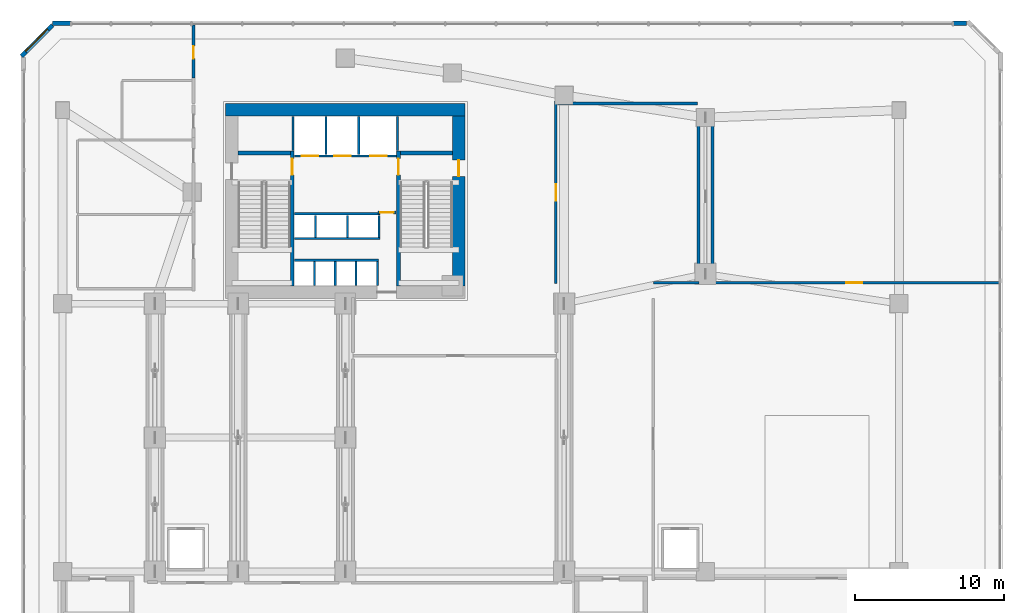
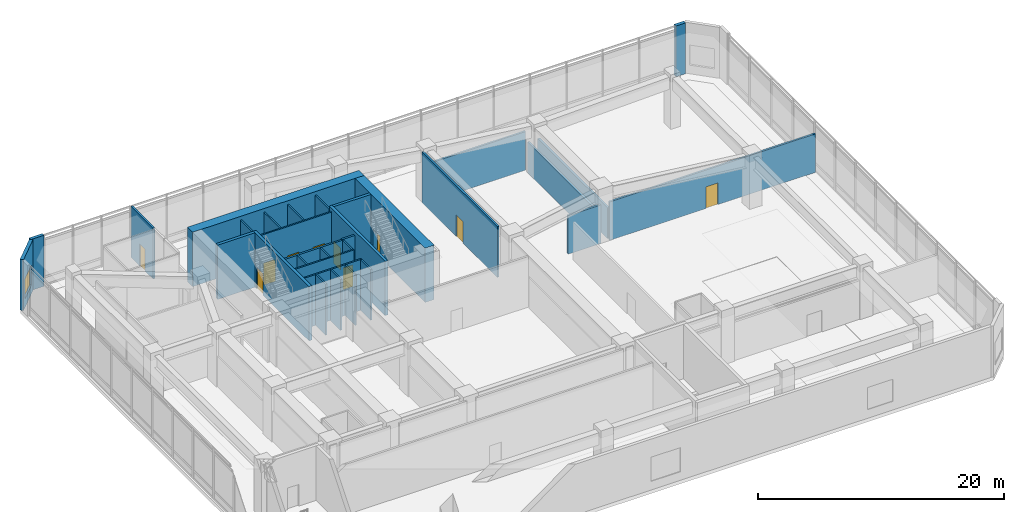
# One storey, part 18 of 21: 32 walls, 10 doors, 1 window, 11 openings.
"""IFC4 building model written with IfcOpenShell, lengths in metres."""

import ifcopenshell
import ifcopenshell.guid

model = None  # the IFC model being written
_history = None  # IfcOwnerHistory: only IFC2X3 demands one
_inside = {}  # id of a spatial element -> (the spatial element, [elements in it])
_under = {}  # id of a project, library or spatial element -> (it, [spatial elements below it])
_declared = {}  # id of a project -> (the project, [libraries it declares])
_typed = {}  # id of a type object -> (the type object, [elements of that type])
_made_of = {}  # id of a material, layer set ... -> (it, [elements and type objects made of it])


def new_model(schema):
    """Start an empty IFC model of exactly this schema.

    Asked for "IFC4X3", IfcOpenShell would pick the latest addendum, in which some entities
    have other attributes; the version numbers below select the first issue.
    IFC2X3 requires an IfcOwnerHistory on every rooted entity: one is made here for all.
    """
    global model, _history
    if schema == "IFC4X3":
        model = ifcopenshell.file(schema_version=(4, 3, 0, 0))
    else:
        model = ifcopenshell.file(schema=schema)
    _inside.clear()
    _under.clear()
    _declared.clear()
    _typed.clear()
    _made_of.clear()
    _history = None
    if model.schema == "IFC2X3":
        org = make("IfcOrganization", Name="unknown")
        user = make(
            "IfcPersonAndOrganization",
            ThePerson=make("IfcPerson", FamilyName="unknown"),
            TheOrganization=org,
        )
        app = make(
            "IfcApplication",
            ApplicationDeveloper=org,
            Version="unknown",
            ApplicationFullName="unknown",
            ApplicationIdentifier="unknown",
        )
        _history = make(
            "IfcOwnerHistory",
            OwningUser=user,
            OwningApplication=app,
            ChangeAction="ADDED",
            CreationDate=0,
        )
    return model


def make(cls, **values):
    """One entity of the class cls with the attributes given. An attribute that is None is left unset."""
    return model.create_entity(
        cls, **{name: value for name, value in values.items() if value is not None}
    )


def rooted(cls, **values):
    """An entity with a GlobalId (a new one), such as an element, a storey or a relation."""
    return make(cls, GlobalId=ifcopenshell.guid.new(), OwnerHistory=_history, **values)


def si_unit(unit_type, name, prefix=None):
    """IfcSIUnit, for example si_unit("LENGTHUNIT", "METRE", prefix="MILLI")."""
    return make("IfcSIUnit", UnitType=unit_type, Prefix=prefix, Name=name)


def assignment(units):
    """IfcUnitAssignment: the units of a project."""
    return None if units is None else make("IfcUnitAssignment", Units=units)


def point(xyz):
    """IfcCartesianPoint."""
    return None if xyz is None else make("IfcCartesianPoint", Coordinates=xyz)


def direction(xyz):
    """IfcDirection."""
    return None if xyz is None else make("IfcDirection", DirectionRatios=xyz)


def frame(location, z_axis=None, x_axis=None):
    """IfcAxis2Placement3D, a coordinate frame: its origin and axes. An axis left out is left unset."""
    return make(
        "IfcAxis2Placement3D",
        Location=point(location),
        Axis=direction(z_axis),
        RefDirection=direction(x_axis),
    )


def frame_2d(location, x_axis=None):
    """IfcAxis2Placement2D, a coordinate frame in the plane: its origin and x axis."""
    return make(
        "IfcAxis2Placement2D", Location=point(location), RefDirection=direction(x_axis)
    )


def origin():
    """The frame at (0, 0, 0) with its axes left unset."""
    return frame((0.0, 0.0, 0.0))


def place(relative_to, where):
    """IfcLocalPlacement: puts the frame where relative to a parent placement (None: the world)."""
    return make(
        "IfcLocalPlacement", PlacementRelTo=relative_to, RelativePlacement=where
    )


def context(
    kind, dimensions, precision=None, world=None, true_north=None, identifier=None
):
    """IfcGeometricRepresentationContext, for example the 3D "Model" context."""
    return make(
        "IfcGeometricRepresentationContext",
        ContextIdentifier=identifier,
        ContextType=kind,
        CoordinateSpaceDimension=dimensions,
        Precision=precision,
        WorldCoordinateSystem=world,
        TrueNorth=true_north,
    )


def subcontext(parent, identifier, kind, view, scale=None):
    """IfcGeometricRepresentationSubContext, for example "Body" below "Model"."""
    return make(
        "IfcGeometricRepresentationSubContext",
        ContextIdentifier=identifier,
        ContextType=kind,
        ParentContext=parent,
        TargetScale=scale,
        TargetView=view,
    )


def project(units=None, contexts=None):
    """IfcProject with its units and contexts."""
    return rooted(
        "IfcProject",
        Name="project",
        RepresentationContexts=contexts,
        UnitsInContext=assignment(units),
    )


def spatial(cls, under=None, at=None, **own):
    """A site, building, storey or space (cls), placed at a placement, below another one or the project."""
    s = rooted(cls, ObjectPlacement=at, **own)
    if under is not None:
        _under.setdefault(under.id(), (under, []))[1].append(s)
    return s


def profile(cls, at=None, kind="AREA", **sizes):
    """A parametric profile (cls). Its sizes go by their IFC names, for example OverallWidth=200.0."""
    return make(cls, ProfileType=kind, Position=at, **sizes)


def rectangle(**sizes):
    """IfcRectangleProfileDef."""
    return profile("IfcRectangleProfileDef", **sizes)


def extrude(swept, where, along, depth):
    """IfcExtrudedAreaSolid: the profile swept, set in the frame where, extruded along a direction by depth."""
    return make(
        "IfcExtrudedAreaSolid",
        SweptArea=swept,
        Position=where,
        ExtrudedDirection=direction(along),
        Depth=depth,
    )


def shape(context_of_items, identifier, shape_type, items):
    """IfcShapeRepresentation: the items that make up one representation, for example the "Body"."""
    return make(
        "IfcShapeRepresentation",
        ContextOfItems=context_of_items,
        RepresentationIdentifier=identifier,
        RepresentationType=shape_type,
        Items=items,
    )


def source(mapping_origin, context_of_items, identifier, shape_type, items):
    """IfcRepresentationMap: a shape defined once, which mapped items show again and again."""
    return make(
        "IfcRepresentationMap",
        MappingOrigin=mapping_origin,
        MappedRepresentation=shape(context_of_items, identifier, shape_type, items),
    )


def transform(
    local_origin,
    x_axis=None,
    y_axis=None,
    z_axis=None,
    scale=None,
    scale2=None,
    scale3=None,
    uniform=True,
):
    """IfcCartesianTransformationOperator3D, or its non-uniform kind. x_axis, y_axis, z_axis: its Axis1, 2, 3."""
    if uniform:
        return make(
            "IfcCartesianTransformationOperator3D",
            Axis1=direction(x_axis),
            Axis2=direction(y_axis),
            LocalOrigin=point(local_origin),
            Scale=scale,
            Axis3=direction(z_axis),
        )
    return make(
        "IfcCartesianTransformationOperator3DnonUniform",
        Axis1=direction(x_axis),
        Axis2=direction(y_axis),
        LocalOrigin=point(local_origin),
        Scale=scale,
        Axis3=direction(z_axis),
        Scale2=scale2,
        Scale3=scale3,
    )


def mapped(mapping_source, mapping_target):
    """IfcMappedItem: shows the shape of a source again, moved by a transform."""
    return make(
        "IfcMappedItem", MappingSource=mapping_source, MappingTarget=mapping_target
    )


def material(Name=None, Category=None):
    """IfcMaterial."""
    return make("IfcMaterial", Name=Name, Category=Category)


def layer(
    of_material, thickness, ventilated=None, Name=None, Category=None, Priority=None
):
    """IfcMaterialLayer: one layer of a wall or slab, of a material (None: an air gap)."""
    return make(
        "IfcMaterialLayer",
        Material=of_material,
        LayerThickness=thickness,
        IsVentilated=ventilated,
        Name=Name,
        Category=Category,
        Priority=Priority,
    )


def layer_set(layers, Name=None):
    """IfcMaterialLayerSet."""
    return make("IfcMaterialLayerSet", MaterialLayers=layers, LayerSetName=Name)


def made_of(thing, what):
    """Note that an element or type object is made of a material, layer set ...; save() writes the relation."""
    if what is not None:
        _made_of.setdefault(what.id(), (what, []))[1].append(thing)
    return thing


def type_object(cls, material=None, **own):
    """A type object (cls), such as IfcWallType, which elements share."""
    return made_of(rooted(cls, **own), material)


def element(
    cls,
    number,
    at=None,
    inside=None,
    cuts=None,
    type_object=None,
    material=None,
    context=None,
    identifier="Body",
    shape_type=None,
    held_by="IfcProductDefinitionShape",
    body=None,
    shapes=None,
    **own,
):
    """One element of the class cls, such as IfcWall. Its Tag is "e" and its number.

    at: its placement. inside: the storey or other place that contains it. cuts: it is an
    opening in that element (IfcRelVoidsElement). A single representation is given by context,
    identifier, shape_type and body (its items); several are given by shapes. held_by: the class
    of the entity that holds the representations. save() writes the other relations.
    """
    e = rooted(cls, Tag="e%d" % number, ObjectPlacement=at, **own)
    if body is not None:
        shapes = [shape(context, identifier, shape_type, body)]
    if shapes is not None:
        e.Representation = make(held_by, Representations=shapes)
    if inside is not None:
        _inside.setdefault(inside.id(), (inside, []))[1].append(e)
    if cuts is not None:
        rooted(
            "IfcRelVoidsElement", RelatingBuildingElement=cuts, RelatedOpeningElement=e
        )
    if type_object is not None:
        _typed.setdefault(type_object.id(), (type_object, []))[1].append(e)
    return made_of(e, material)


def fill(opening, filler):
    """IfcRelFillsElement: the door or window that sits in an opening."""
    return rooted(
        "IfcRelFillsElement",
        RelatingOpeningElement=opening,
        RelatedBuildingElement=filler,
    )


def aggregate(whole, parts):
    """IfcRelAggregates: a whole, such as a stair, and the parts it consists of."""
    return rooted("IfcRelAggregates", RelatingObject=whole, RelatedObjects=parts)


def save(model, path):
    """Write the relations noted so far, then the file.

    IfcRelAggregates (storeys below a building ...), IfcRelContainedInSpatialStructure (elements
    in a storey), IfcRelDefinesByType, IfcRelAssociatesMaterial and IfcRelDeclares: one each for
    every whole, place, type object, material and project.
    """
    for whole, parts in _under.values():
        aggregate(whole, parts)
    for where, things in _inside.values():
        rooted(
            "IfcRelContainedInSpatialStructure",
            RelatedElements=things,
            RelatingStructure=where,
        )
    for kind, things in _typed.values():
        rooted("IfcRelDefinesByType", RelatedObjects=things, RelatingType=kind)
    for what, things in _made_of.values():
        rooted("IfcRelAssociatesMaterial", RelatedObjects=things, RelatingMaterial=what)
    for by, libraries in _declared.values():
        rooted("IfcRelDeclares", RelatingContext=by, RelatedDefinitions=libraries)
    model.write(path)


model = new_model("IFC4")

# Units and contexts
model_context = context("Model", 3, precision=1e-05, world=origin(), true_north=direction((0.0, 1.0)))
body_context = subcontext(model_context, "Body", "Model", "MODEL_VIEW")
ifc_project = project(units=[si_unit("LENGTHUNIT", "METRE"), si_unit("AREAUNIT", "SQUARE_METRE"), si_unit("VOLUMEUNIT", "CUBIC_METRE"), si_unit("PLANEANGLEUNIT", "RADIAN"), si_unit("MASSUNIT", "GRAM", prefix="KILO")], contexts=[model_context])

# Site, building, storey
site_placement = place(None, origin())
site = spatial("IfcSite", under=ifc_project, at=site_placement, CompositionType="ELEMENT")
building_placement = place(site_placement, origin())
building = spatial("IfcBuilding", under=site, at=building_placement, Name="Calvemar Wedge Station Tower", CompositionType="ELEMENT")
storey_placement = place(building_placement, frame((0.0, 0.0, 21.60009765625)))
storey = spatial("IfcBuildingStorey", under=building, at=storey_placement, Name="L05", CompositionType="ELEMENT", Elevation=21.60009765625)

# Wall, opening, door
ifc_material_1 = material(Name="Concrete C50", Category="concrete")
ifc_layer_1 = layer(ifc_material_1, 0.260009765625)
ifc_layer_set_1 = layer_set([ifc_layer_1], Name="Concrete C50")
wall_type_1 = type_object("IfcWallType", Name="SW-CORE-260", PredefinedType="SHEAR", material=ifc_layer_set_1)
wall_1_placement = place(storey_placement, frame((20.22998046875, 34.199951171875, 0.0), z_axis=(0.0, 0.0, 1.0), x_axis=(0.0, 1.0, 0.0)))
wall_1 = element("IfcWall", 1, at=wall_1_placement, inside=storey, type_object=wall_type_1, Name="Storey L05 Core Shear Wall SPINE-W", PredefinedType="SHEAR", context=body_context, shape_type="SweptSolid", body=[
    extrude(rectangle(XDim=9.06005859375, YDim=0.260009765625, at=frame_2d((4.530029296875, 0.0))), origin(), (0.0, 0.0, 1.0), 5.39990234375),
])
shared_shape_1 = source(origin(), body_context, "Body", "SweptSolid", [
    extrude(rectangle(XDim=1.10009765625, YDim=2.14990234375, at=frame_2d((0.550048828125, 1.074951171875))), frame((0.0, 0.14013671875, 0.0), z_axis=(0.0, -1.0, 0.0), x_axis=(1.0, 0.0, 0.0)), (0.0, 0.0, 1.0), 0.280029296875),
])
opening_1_placement = place(wall_1_placement, frame((7.449951171875, 0.0, 0.0)))
opening_1 = element("IfcOpeningElement", 2, at=opening_1_placement, cuts=wall_1, Name="Opening FD-90", PredefinedType="OPENING", context=body_context, shape_type="MappedRepresentation", body=[
    mapped(shared_shape_1, transform((0.0, 0.0, 0.0), scale=1.0)),
])
ifc_material_2 = material(Name="Galvanized fire-rated steel door leaf P-90", Category="steel")
door_type_1 = type_object("IfcDoorType", Name="DR-FD90-1100", OperationType="NOTDEFINED", PredefinedType="DOOR", material=ifc_material_2)
shared_shape_2 = source(origin(), body_context, "Body", "SweptSolid", [
    extrude(rectangle(XDim=1.10009765625, YDim=2.14990234375, at=frame_2d((0.550048828125, 1.074951171875))), frame((0.0, 0.02490234375, 0.0), z_axis=(0.0, -1.0, 0.0), x_axis=(1.0, 0.0, 0.0)), (0.0, 0.0, 1.0), 0.050048828125),
])
door_1_placement = place(opening_1_placement, origin())
door_1 = element("IfcDoor", 3, at=door_1_placement, inside=storey, type_object=door_type_1, Name="L05 FF Lobby to Stair ST-C1 Door", OperationType="SINGLE_SWING_RIGHT", OverallHeight=2.14990234375, OverallWidth=1.10009765625, PredefinedType="DOOR", context=body_context, shape_type="MappedRepresentation", body=[
    mapped(shared_shape_2, transform((0.0, 0.0, 0.0), scale=1.0)),
])
fill(opening_1, door_1)

wall_2_placement = place(storey_placement, frame((27.3701171875, 34.199951171875, 0.0), z_axis=(0.0, 0.0, 1.0), x_axis=(0.0, 1.0, 0.0)))
wall_2 = element("IfcWall", 4, at=wall_2_placement, inside=storey, type_object=wall_type_1, Name="Storey L05 Core Shear Wall SPINE-E", PredefinedType="SHEAR", context=body_context, shape_type="SweptSolid", body=[
    extrude(rectangle(XDim=9.06005859375, YDim=0.260009765625, at=frame_2d((4.530029296875, 0.0))), origin(), (0.0, 0.0, 1.0), 5.39990234375),
])
opening_2_placement = place(wall_2_placement, frame((7.449951171875, 0.0, 0.0)))
opening_2 = element("IfcOpeningElement", 5, at=opening_2_placement, cuts=wall_2, Name="Opening FD-90", PredefinedType="OPENING", context=body_context, shape_type="MappedRepresentation", body=[
    mapped(shared_shape_1, transform((0.0, 0.0, 0.0), scale=1.0)),
])
door_2_placement = place(opening_2_placement, origin())
door_2 = element("IfcDoor", 6, at=door_2_placement, inside=storey, type_object=door_type_1, Name="L05 FF Lobby to Stair ST-C2 Door", OperationType="SINGLE_SWING_LEFT", OverallHeight=2.14990234375, OverallWidth=1.10009765625, PredefinedType="DOOR", context=body_context, shape_type="MappedRepresentation", body=[
    mapped(shared_shape_2, transform((0.0, 0.0, 0.0), scale=1.0)),
])
fill(opening_2, door_2)

# Walls
for number, where, z_axis, x_axis, name in (
    (7, (16.60009765625, 43.1298828125, 0.0), (0.0, 0.0, 1.0), (1.0, 0.0, 0.0), "Storey L05 Core Shear Wall STC1-N"),
    (8, (27.5, 43.1298828125, 0.0), (0.0, 0.0, 1.0), (1.0, 0.0, 0.0), "Storey L05 Core Shear Wall STC2-N"),
):
    element("IfcWall", number, at=place(storey_placement, frame(where, z_axis=z_axis, x_axis=x_axis)), inside=storey, type_object=wall_type_1, Name=name, PredefinedType="SHEAR", context=body_context, shape_type="SweptSolid", body=[
        extrude(rectangle(XDim=3.5, YDim=0.260009765625, at=frame_2d((1.75, 0.0))), origin(), (0.0, 0.0, 1.0), 5.39990234375),
    ])
ifc_material_3 = material(Name="Concrete C80", Category="concrete")
ifc_layer_2 = layer(ifc_material_3, 0.85009765625)
ifc_layer_set_2 = layer_set([ifc_layer_2], Name="Concrete C80")
wall_type_2 = type_object("IfcWallType", Name="SW-CORE-850", PredefinedType="SHEAR", material=ifc_layer_set_2)
wall_3_placement = place(storey_placement, frame((15.75, 46.02490234375, 0.0), z_axis=(0.0, 0.0, 1.0), x_axis=(1.0, 0.0, 0.0)))
element("IfcWall", 9, at=wall_3_placement, inside=storey, type_object=wall_type_2, Name="Storey L05 Core Shear Wall N", PredefinedType="SHEAR", context=body_context, shape_type="SweptSolid", body=[
    extrude(rectangle(XDim=16.10009765625, YDim=0.85009765625, at=frame_2d((8.050048828125, 0.0))), origin(), (0.0, 0.0, 1.0), 5.39990234375),
])

# Wall, opening, door
wall_4_placement = place(storey_placement, frame((31.425048828125, 34.199951171875, 0.0), z_axis=(0.0, 0.0, 1.0), x_axis=(0.0, 1.0, 0.0)))
wall_4 = element("IfcWall", 10, at=wall_4_placement, inside=storey, type_object=wall_type_2, Name="Storey L05 Core Shear Wall E", PredefinedType="SHEAR", context=body_context, shape_type="SweptSolid", body=[
    extrude(rectangle(XDim=11.400146484375, YDim=0.85009765625, at=frame_2d((5.7001953125, 0.0))), origin(), (0.0, 0.0, 1.0), 5.39990234375),
])
shared_shape_3 = source(origin(), body_context, "Body", "SweptSolid", [
    extrude(rectangle(XDim=1.10009765625, YDim=2.14990234375, at=frame_2d((0.550048828125, 1.074951171875))), frame((0.0, 0.43505859375, 0.0), z_axis=(0.0, -1.0, 0.0), x_axis=(1.0, 0.0, 0.0)), (0.0, 0.0, 1.0), 0.8701171875),
])
opening_3_placement = place(wall_4_placement, frame((7.35009765625, 0.0, 0.0)))
opening_3 = element("IfcOpeningElement", 11, at=opening_3_placement, cuts=wall_4, Name="Opening FD-90", PredefinedType="OPENING", context=body_context, shape_type="MappedRepresentation", body=[
    mapped(shared_shape_3, transform((0.0, 0.0, 0.0), scale=1.0)),
])
door_3_placement = place(opening_3_placement, origin())
door_3 = element("IfcDoor", 12, at=door_3_placement, inside=storey, type_object=door_type_1, Name="L05 East Corridor to Exit Stair ST-C2 Door", OperationType="SINGLE_SWING_LEFT", OverallHeight=2.14990234375, OverallWidth=1.10009765625, PredefinedType="DOOR", context=body_context, shape_type="MappedRepresentation", body=[
    mapped(shared_shape_2, transform((0.0, 0.0, 0.0), scale=1.0)),
])
fill(opening_3, door_3)

ifc_material_4 = material(Name="Double-stud fire-rated corridor partition")
ifc_layer_3 = layer(ifc_material_4, 0.179931640625)
ifc_layer_set_3 = layer_set([ifc_layer_3], Name="Double-stud fire-rated corridor partition")
wall_type_3 = type_object("IfcWallType", Name="W-CORR-180", PredefinedType="PARTITIONING", material=ifc_layer_set_3)
wall_5_placement = place(storey_placement, frame((27.199951171875, 39.1298828125, 0.0), z_axis=(0.0, 0.0, 1.0), x_axis=(-1.0, 0.0, 0.0)))
wall_5 = element("IfcWall", 13, at=wall_5_placement, inside=storey, type_object=wall_type_3, Name="Storey L05 Interior Partition WL-L05-001", PredefinedType="PARTITIONING", context=body_context, shape_type="SweptSolid", body=[
    extrude(rectangle(XDim=1.2099609375, YDim=0.179931640625, at=frame_2d((0.60498046875, 0.0))), origin(), (0.0, 0.0, 1.0), 5.0498046875),
])
shared_shape_4 = source(origin(), body_context, "Body", "SweptSolid", [
    extrude(rectangle(XDim=0.89990234375, YDim=2.14990234375, at=frame_2d((0.449951171875, 1.074951171875))), frame((0.0, 0.10009765625, 0.0), z_axis=(0.0, -1.0, 0.0), x_axis=(1.0, 0.0, 0.0)), (0.0, 0.0, 1.0), 0.199951171875),
])
opening_4_placement = place(wall_5_placement, frame((0.155029296875, 0.0, 0.0)))
opening_4 = element("IfcOpeningElement", 14, at=opening_4_placement, cuts=wall_5, Name="Opening FD-60", PredefinedType="OPENING", context=body_context, shape_type="MappedRepresentation", body=[
    mapped(shared_shape_4, transform((0.0, 0.0, 0.0), scale=1.0)),
])
ifc_material_5 = material(Name="Fire-rated acoustic timber-core entrance door EI 60", Category="wood")
door_type_2 = type_object("IfcDoorType", Name="DR-FD60-900", OperationType="NOTDEFINED", PredefinedType="DOOR", material=ifc_material_5)
shared_shape_5 = source(origin(), body_context, "Body", "SweptSolid", [
    extrude(rectangle(XDim=0.89990234375, YDim=2.14990234375, at=frame_2d((0.449951171875, 1.074951171875))), frame((0.0, 0.02490234375, 0.0), z_axis=(0.0, -1.0, 0.0), x_axis=(1.0, 0.0, 0.0)), (0.0, 0.0, 1.0), 0.050048828125),
])
door_4_placement = place(opening_4_placement, origin())
door_4 = element("IfcDoor", 15, at=door_4_placement, inside=storey, type_object=door_type_2, Name="L05 Core Service Lobby Door", OperationType="SINGLE_SWING_RIGHT", OverallHeight=2.14990234375, OverallWidth=0.89990234375, PredefinedType="DOOR", context=body_context, shape_type="MappedRepresentation", body=[
    mapped(shared_shape_5, transform((0.0, 0.0, 0.0), scale=1.0)),
])
fill(opening_4, door_4)

wall_6_placement = place(storey_placement, frame((37.949951171875, 46.610107421875, 0.0), z_axis=(0.0, 0.0, 1.0), x_axis=(0.0, -1.0, 0.0)))
wall_6 = element("IfcWall", 16, at=wall_6_placement, inside=storey, type_object=wall_type_3, Name="Storey L05 Interior Partition WL-L05-008", PredefinedType="PARTITIONING", context=body_context, shape_type="SweptSolid", body=[
    extrude(rectangle(XDim=12.27001953125, YDim=0.179931640625, at=frame_2d((6.135009765625, 0.0))), origin(), (0.0, 0.0, 1.0), 5.0498046875),
])
shared_shape_6 = source(origin(), body_context, "Body", "SweptSolid", [
    extrude(rectangle(XDim=1.10009765625, YDim=2.14990234375, at=frame_2d((0.550048828125, 1.074951171875))), frame((0.0, 0.10009765625, 0.0), z_axis=(0.0, -1.0, 0.0), x_axis=(1.0, 0.0, 0.0)), (0.0, 0.0, 1.0), 0.199951171875),
])
opening_5_placement = place(wall_6_placement, frame((5.5849609375, 0.0, 0.0)))
opening_5 = element("IfcOpeningElement", 17, at=opening_5_placement, cuts=wall_6, Name="Opening FD-90", PredefinedType="OPENING", context=body_context, shape_type="MappedRepresentation", body=[
    mapped(shared_shape_6, transform((0.0, 0.0, 0.0), scale=1.0)),
])
door_5_placement = place(opening_5_placement, origin())
door_5 = element("IfcDoor", 18, at=door_5_placement, inside=storey, type_object=door_type_1, Name="L05 West Air Handling Plant Room Door", OperationType="SINGLE_SWING_LEFT", OverallHeight=2.14990234375, OverallWidth=1.10009765625, PredefinedType="DOOR", context=body_context, shape_type="MappedRepresentation", body=[
    mapped(shared_shape_2, transform((0.0, 0.0, 0.0), scale=1.0)),
])
fill(opening_5, door_5)

wall_7_placement = place(storey_placement, frame((13.60009765625, 48.162109375, 0.0), z_axis=(0.0, 0.0, 1.0), x_axis=(0.0, 1.0, 0.0)))
wall_7 = element("IfcWall", 19, at=wall_7_placement, inside=storey, type_object=wall_type_3, Name="Storey L05 Interior Partition WL-L05-010", PredefinedType="PARTITIONING", context=body_context, shape_type="SweptSolid", body=[
    extrude(rectangle(XDim=3.572998046875, YDim=0.179931640625, at=frame_2d((1.78662109375, 0.0))), origin(), (0.0, 0.0, 1.0), 5.0498046875),
])
shared_shape_7 = source(origin(), body_context, "Body", "SweptSolid", [
    extrude(rectangle(XDim=0.85009765625, YDim=2.14990234375, at=frame_2d((0.425048828125, 1.074951171875))), frame((0.0, 0.10009765625, 0.0), z_axis=(0.0, -1.0, 0.0), x_axis=(1.0, 0.0, 0.0)), (0.0, 0.0, 1.0), 0.199951171875),
])
opening_6_placement = place(wall_7_placement, frame((1.301513671875, 0.0, 0.0)))
opening_6 = element("IfcOpeningElement", 20, at=opening_6_placement, cuts=wall_7, Name="Opening FD-60S", PredefinedType="OPENING", context=body_context, shape_type="MappedRepresentation", body=[
    mapped(shared_shape_7, transform((0.0, 0.0, 0.0), scale=1.0)),
])
ifc_material_6 = material(Name="Fire-rated steel and hardwood service door EI 60", Category="steel")
door_type_3 = type_object("IfcDoorType", Name="DR-CORE-FD60-850", OperationType="NOTDEFINED", PredefinedType="DOOR", material=ifc_material_6)
shared_shape_8 = source(origin(), body_context, "Body", "SweptSolid", [
    extrude(rectangle(XDim=0.85009765625, YDim=2.14990234375, at=frame_2d((0.425048828125, 1.074951171875))), frame((0.0, 0.02490234375, 0.0), z_axis=(0.0, -1.0, 0.0), x_axis=(1.0, 0.0, 0.0)), (0.0, 0.0, 1.0), 0.050048828125),
])
door_6_placement = place(opening_6_placement, origin())
door_6 = element("IfcDoor", 21, at=door_6_placement, inside=storey, type_object=door_type_3, Name="L05 L05 Podium Storage Room Door", OperationType="SINGLE_SWING_RIGHT", OverallHeight=2.14990234375, OverallWidth=0.85009765625, PredefinedType="DOOR", context=body_context, shape_type="MappedRepresentation", body=[
    mapped(shared_shape_8, transform((0.0, 0.0, 0.0), scale=1.0)),
])
fill(opening_6, door_6)

# Walls
wall_8_placement = place(storey_placement, frame((47.449951171875, 46.449951171875, 0.0), z_axis=(0.0, 0.0, 1.0), x_axis=(-1.0, 0.0, 0.0)))
element("IfcWall", 22, at=wall_8_placement, inside=storey, type_object=wall_type_3, Name="Storey L05 Interior Partition WL-L05-011", PredefinedType="PARTITIONING", context=body_context, shape_type="SweptSolid", body=[
    extrude(rectangle(XDim=9.406005859375, YDim=0.179931640625, at=frame_2d((4.703125, 0.0))), origin(), (0.0, 0.0, 1.0), 3.841796875),
])
wall_9_placement = place(storey_placement, frame((44.5, 34.39990234375, 0.0), z_axis=(0.0, 0.0, 1.0), x_axis=(1.0, 0.0, 0.0)))
element("IfcWall", 23, at=wall_9_placement, inside=storey, type_object=wall_type_3, Name="Storey L05 Interior Partition WL-L05-024", PredefinedType="PARTITIONING", context=body_context, shape_type="SweptSolid", body=[
    extrude(rectangle(XDim=3.07470703125, YDim=0.179931640625, at=frame_2d((1.537353515625, 0.0))), origin(), (0.0, 0.0, 1.0), 3.822021484375),
])

# Wall, opening, door
wall_10_placement = place(storey_placement, frame((48.389892578125, 34.39990234375, 0.0), z_axis=(0.0, 0.0, 1.0), x_axis=(1.0, 0.0, 0.0)))
wall_10 = element("IfcWall", 24, at=wall_10_placement, inside=storey, type_object=wall_type_3, Name="Storey L05 Interior Partition WL-L05-025", PredefinedType="PARTITIONING", context=body_context, shape_type="SweptSolid", body=[
    extrude(rectangle(XDim=19.34521484375, YDim=0.179931640625, at=frame_2d((9.672607421875, 0.0))), origin(), (0.0, 0.0, 1.0), 3.822021484375),
])
opening_7_placement = place(wall_10_placement, frame((9.062255859375, 0.0, 0.0)))
opening_7 = element("IfcOpeningElement", 25, at=opening_7_placement, cuts=wall_10, Name="Opening FD-90", PredefinedType="OPENING", context=body_context, shape_type="MappedRepresentation", body=[
    mapped(shared_shape_6, transform((0.0, 0.0, 0.0), scale=1.0)),
])
door_7_placement = place(opening_7_placement, origin())
door_7 = element("IfcDoor", 26, at=door_7_placement, inside=storey, type_object=door_type_1, Name="L05 Podium Air Handling Plant Room Door", OperationType="SINGLE_SWING_RIGHT", OverallHeight=2.14990234375, OverallWidth=1.10009765625, PredefinedType="DOOR", context=body_context, shape_type="MappedRepresentation", body=[
    mapped(shared_shape_2, transform((0.0, 0.0, 0.0), scale=1.0)),
])
fill(opening_7, door_7)

# Walls
ifc_material_7 = material(Name="Precast concrete C45", Category="concrete")
ifc_layer_4 = layer(ifc_material_7, 0.300048828125)
ifc_layer_set_4 = layer_set([ifc_layer_4], Name="Precast concrete C45")
wall_type_4 = type_object("IfcWallType", Name="W-EXT-GFRC-300", PredefinedType="SOLIDWALL", material=ifc_layer_set_4)
wall_11_placement = place(storey_placement, frame((65.542724609375, 51.85009765625, 0.0), z_axis=(0.0, 0.0, 1.0), x_axis=(-1.0, 0.0, 0.0)))
element("IfcWall", 27, at=wall_11_placement, inside=storey, type_object=wall_type_4, Name="Storey L05 Bronze GFRC Corner Pier 4A", PredefinedType="SOLIDWALL", context=body_context, shape_type="SweptSolid", body=[
    extrude(rectangle(XDim=0.87744140625, YDim=0.300048828125, at=frame_2d((0.438720703125, 0.0))), origin(), (0.0, 0.0, 1.0), 5.0498046875),
])
wall_12_placement = place(storey_placement, frame((5.334716796875, 51.85009765625, 0.0), z_axis=(0.0, 0.0, 1.0), x_axis=(-1.0, 0.0, 0.0)))
element("IfcWall", 28, at=wall_12_placement, inside=storey, type_object=wall_type_4, Name="Storey L05 Bronze GFRC Corner Pier 4B", PredefinedType="SOLIDWALL", context=body_context, shape_type="SweptSolid", body=[
    extrude(rectangle(XDim=1.22265625, YDim=0.300048828125, at=frame_2d((0.611328125, 0.0))), origin(), (0.0, 0.0, 1.0), 5.0498046875),
])

# Wall, opening, window
wall_13_placement = place(storey_placement, frame((4.1240234375, 51.7119140625, 0.0), z_axis=(0.0, 0.0, 1.0), x_axis=(-0.707106781187, -0.707106781187, 0.0)))
wall_13 = element("IfcWall", 29, at=wall_13_placement, inside=storey, type_object=wall_type_4, Name="Storey L05 Bronze GFRC Exterior Wall 5", PredefinedType="SOLIDWALL", context=body_context, shape_type="SweptSolid", body=[
    extrude(rectangle(XDim=2.941650390625, YDim=0.300048828125, at=frame_2d((1.470703125, 0.0))), origin(), (0.0, 0.0, 1.0), 5.0498046875),
])
shared_shape_9 = source(origin(), body_context, "Body", "SweptSolid", [
    extrude(rectangle(XDim=2.10009765625, YDim=2.0, at=frame_2d((1.050048828125, 1.0))), frame((0.0, 0.16015625, 0.0), z_axis=(0.0, -1.0, 0.0), x_axis=(1.0, 0.0, 0.0)), (0.0, 0.0, 1.0), 0.320068359375),
])
opening_8_placement = place(wall_13_placement, frame((0.4208984375, 0.0, 0.85009765625)))
opening_8 = element("IfcOpeningElement", 30, at=opening_8_placement, cuts=wall_13, Name="Opening W4", PredefinedType="OPENING", context=body_context, shape_type="MappedRepresentation", body=[
    mapped(shared_shape_9, transform((0.0, 0.0, 0.0), scale=1.0)),
])
ifc_material_8 = material(Name="Low-E laminated insulated glass", Category="glass")
window_type = type_object("IfcWindowType", Name="WIN-EXT-4", PartitioningType="SINGLE_PANEL", PredefinedType="WINDOW", material=ifc_material_8)
shared_shape_10 = source(origin(), body_context, "Body", "SweptSolid", [
    extrude(rectangle(XDim=2.10009765625, YDim=2.0, at=frame_2d((1.050048828125, 1.0))), frame((0.0, -0.014892578125, 0.0), z_axis=(0.0, -1.0, 0.0), x_axis=(1.0, 0.0, 0.0)), (0.0, 0.0, 1.0), 0.06005859375),
])
window_placement = place(opening_8_placement, origin())
window = element("IfcWindow", 31, at=window_placement, inside=storey, type_object=window_type, Name="Storey L05 Recessed Window 5.1", OverallHeight=2.0, OverallWidth=2.10009765625, PartitioningType="SINGLE_PANEL", PredefinedType="WINDOW", context=body_context, shape_type="MappedRepresentation", body=[
    mapped(shared_shape_10, transform((0.0, 0.0, 0.0), scale=1.0)),
])
fill(opening_8, window)

# Wall, openings, doors
ifc_material_9 = material(Name="Reinforced concrete blockwork lift shaft wall", Category="masonry")
ifc_layer_5 = layer(ifc_material_9, 0.139892578125)
ifc_layer_set_5 = layer_set([ifc_layer_5], Name="Reinforced concrete blockwork lift shaft wall")
wall_type_5 = type_object("IfcWallType", Name="W-LIFT-160", PredefinedType="SOLIDWALL", material=ifc_layer_set_5)
wall_14_placement = place(storey_placement, frame((20.3701171875, 42.929931640625, 0.0), z_axis=(0.0, 0.0, 1.0), x_axis=(1.0, 0.0, 0.0)))
wall_14 = element("IfcWall", 32, at=wall_14_placement, inside=storey, type_object=wall_type_5, Name="Storey L05 Firefighting and Service Lift Shaft Front Wall", PredefinedType="SOLIDWALL", context=body_context, shape_type="SweptSolid", body=[
    extrude(rectangle(XDim=6.85986328125, YDim=0.139892578125, at=frame_2d((3.429931640625, 0.0))), origin(), (0.0, 0.0, 1.0), 5.0498046875),
])
shared_shape_11 = source(origin(), body_context, "Body", "SweptSolid", [
    extrude(rectangle(XDim=1.10009765625, YDim=2.14990234375, at=frame_2d((0.550048828125, 1.074951171875))), frame((0.0, 0.080078125, 0.0), z_axis=(0.0, -1.0, 0.0), x_axis=(1.0, 0.0, 0.0)), (0.0, 0.0, 1.0), 0.159912109375),
])
opening_9_placement = place(wall_14_placement, frame((0.5, 0.0, 0.0)))
opening_9 = element("IfcOpeningElement", 33, at=opening_9_placement, cuts=wall_14, Name="Opening LD-FF", PredefinedType="OPENING", context=body_context, shape_type="MappedRepresentation", body=[
    mapped(shared_shape_11, transform((0.0, 0.0, 0.0), scale=1.0)),
])
opening_10_placement = place(wall_14_placement, frame((2.699951171875, 0.0, 0.0)))
opening_10 = element("IfcOpeningElement", 34, at=opening_10_placement, cuts=wall_14, Name="Opening LD-FF", PredefinedType="OPENING", context=body_context, shape_type="MappedRepresentation", body=[
    mapped(shared_shape_11, transform((0.0, 0.0, 0.0), scale=1.0)),
])
opening_11_placement = place(wall_14_placement, frame((5.10009765625, 0.0, 0.0)))
opening_11 = element("IfcOpeningElement", 35, at=opening_11_placement, cuts=wall_14, Name="Opening LD-STN", PredefinedType="OPENING", context=body_context, shape_type="MappedRepresentation", body=[
    mapped(shared_shape_11, transform((0.0, 0.0, 0.0), scale=1.0)),
])
ifc_material_10 = material(Name="Stainless steel firefighting lift sliding landing door", Category="steel")
door_type_4 = type_object("IfcDoorType", Name="DR-LD-FF-1100", OperationType="SLIDING_TO_LEFT", PredefinedType="DOOR", material=ifc_material_10)
shared_shape_12 = source(origin(), body_context, "Body", "SweptSolid", [
    extrude(rectangle(XDim=1.10009765625, YDim=2.14990234375, at=frame_2d((0.550048828125, 1.074951171875))), frame((0.0, 0.02490234375, 0.0), z_axis=(0.0, -1.0, 0.0), x_axis=(1.0, 0.0, 0.0)), (0.0, 0.0, 1.0), 0.050048828125),
])
door_8_placement = place(opening_9_placement, origin())
door_8 = element("IfcDoor", 36, at=door_8_placement, inside=storey, type_object=door_type_4, Name="L05 Lift FF-01 Sliding Landing Door", OperationType="SLIDING_TO_LEFT", OverallHeight=2.14990234375, OverallWidth=1.10009765625, PredefinedType="DOOR", context=body_context, shape_type="MappedRepresentation", body=[
    mapped(shared_shape_12, transform((0.0, 0.0, 0.0), scale=1.0)),
])
fill(opening_9, door_8)
door_9_placement = place(opening_10_placement, origin())
door_9 = element("IfcDoor", 37, at=door_9_placement, inside=storey, type_object=door_type_4, Name="L05 Lift FF-02 Sliding Landing Door", OperationType="SLIDING_TO_RIGHT", OverallHeight=2.14990234375, OverallWidth=1.10009765625, PredefinedType="DOOR", context=body_context, shape_type="MappedRepresentation", body=[
    mapped(shared_shape_12, transform((0.0, 0.0, 0.0), scale=1.0)),
])
fill(opening_10, door_9)
ifc_material_11 = material(Name="Stainless steel transit lift sliding landing door", Category="steel")
door_type_5 = type_object("IfcDoorType", Name="DR-LD-PAX-1100", OperationType="SLIDING_TO_LEFT", PredefinedType="DOOR", material=ifc_material_11)
shared_shape_13 = source(origin(), body_context, "Body", "SweptSolid", [
    extrude(rectangle(XDim=1.10009765625, YDim=2.14990234375, at=frame_2d((0.550048828125, 1.074951171875))), frame((0.0, 0.02490234375, 0.0), z_axis=(0.0, -1.0, 0.0), x_axis=(1.0, 0.0, 0.0)), (0.0, 0.0, 1.0), 0.050048828125),
])
door_10_placement = place(opening_11_placement, origin())
door_10 = element("IfcDoor", 38, at=door_10_placement, inside=storey, type_object=door_type_5, Name="L05 Lift SV-01 Sliding Landing Door", OperationType="SLIDING_TO_LEFT", OverallHeight=2.14990234375, OverallWidth=1.10009765625, PredefinedType="DOOR", context=body_context, shape_type="MappedRepresentation", body=[
    mapped(shared_shape_13, transform((0.0, 0.0, 0.0), scale=1.0)),
])
fill(opening_11, door_10)

# Walls
for number, where, z_axis, x_axis, name in (
    (39, (20.2900390625, 43.280029296875, 0.0), (0.0, 0.0, 1.0), (0.0, 1.0, 0.0), "Storey L05 Firefighting Lift Shaft Enclosure Wall W"),
    (40, (27.31005859375, 43.280029296875, 0.0), (0.0, 0.0, 1.0), (0.0, 1.0, 0.0), "Storey L05 Firefighting Lift Shaft Enclosure Wall E"),
):
    element("IfcWall", number, at=place(storey_placement, frame(where, z_axis=z_axis, x_axis=x_axis)), inside=storey, type_object=wall_type_5, Name=name, PredefinedType="SOLIDWALL", context=body_context, shape_type="SweptSolid", body=[
        extrude(rectangle(XDim=2.300048828125, YDim=0.139892578125, at=frame_2d((1.14990234375, 0.0))), origin(), (0.0, 0.0, 1.0), 5.0498046875),
    ])
for number, where, z_axis, x_axis, name in (
    (41, (22.5, 43.02001953125, 0.0), (0.0, 0.0, 1.0), (0.0, 1.0, 0.0), "Storey L05 Firefighting Lift Shaft Enclosure Wall D1"),
    (42, (24.699951171875, 43.02001953125, 0.0), (0.0, 0.0, 1.0), (0.0, 1.0, 0.0), "Storey L05 Firefighting Lift Shaft Enclosure Wall D2"),
):
    element("IfcWall", number, at=place(storey_placement, frame(where, z_axis=z_axis, x_axis=x_axis)), inside=storey, type_object=wall_type_5, Name=name, PredefinedType="SOLIDWALL", context=body_context, shape_type="SweptSolid", body=[
        extrude(rectangle(XDim=2.56005859375, YDim=0.139892578125, at=frame_2d((1.280029296875, 0.0))), origin(), (0.0, 0.0, 1.0), 5.0498046875),
    ])
wall_15_placement = place(storey_placement, frame((20.3798828125, 35.919921875, 0.0), z_axis=(0.0, 0.0, 1.0), x_axis=(1.0, 0.0, 0.0)))
element("IfcWall", 43, at=wall_15_placement, inside=storey, type_object=wall_type_5, Name="Storey L05 South Passenger Lift Bank Front Wall", PredefinedType="SOLIDWALL", context=body_context, shape_type="SweptSolid", body=[
    extrude(rectangle(XDim=5.650146484375, YDim=0.139892578125, at=frame_2d((2.8251953125, 0.0))), origin(), (0.0, 0.0, 1.0), 5.0498046875),
])
for number, where, z_axis, x_axis, name in (
    (44, (25.9599609375, 34.219970703125, 0.0), (0.0, 0.0, 1.0), (0.0, 1.0, 0.0), "Storey L05 South Passenger Lift Shaft Wall E"),
    (45, (21.735107421875, 34.219970703125, 0.0), (0.0, 0.0, 1.0), (0.0, 1.0, 0.0), "Storey L05 South Passenger Lift Shaft Wall D1"),
    (46, (23.125, 34.219970703125, 0.0), (0.0, 0.0, 1.0), (0.0, 1.0, 0.0), "Storey L05 South Passenger Lift Shaft Wall D2"),
    (47, (24.514892578125, 34.219970703125, 0.0), (0.0, 0.0, 1.0), (0.0, 1.0, 0.0), "Storey L05 South Passenger Lift Shaft Wall D3"),
):
    element("IfcWall", number, at=place(storey_placement, frame(where, z_axis=z_axis, x_axis=x_axis)), inside=storey, type_object=wall_type_5, Name=name, PredefinedType="SOLIDWALL", context=body_context, shape_type="SweptSolid", body=[
        extrude(rectangle(XDim=1.6201171875, YDim=0.139892578125, at=frame_2d((0.81005859375, 0.0))), origin(), (0.0, 0.0, 1.0), 5.0498046875),
    ])
wall_16_placement = place(storey_placement, frame((20.3798828125, 37.3798828125, 0.0), z_axis=(0.0, 0.0, 1.0), x_axis=(1.0, 0.0, 0.0)))
element("IfcWall", 48, at=wall_16_placement, inside=storey, type_object=wall_type_5, Name="Storey L05 Upper Passenger Lift Bank Front Wall", PredefinedType="SOLIDWALL", context=body_context, shape_type="SweptSolid", body=[
    extrude(rectangle(XDim=5.75, YDim=0.139892578125, at=frame_2d((2.875, 0.0))), origin(), (0.0, 0.0, 1.0), 5.0498046875),
])
for number, where, z_axis, x_axis, name in (
    (49, (26.06005859375, 37.4599609375, 0.0), (0.0, 0.0, 1.0), (0.0, 1.0, 0.0), "Storey L05 Upper Passenger Lift Shaft Wall E"),
    (50, (21.794921875, 37.4599609375, 0.0), (0.0, 0.0, 1.0), (0.0, 1.0, 0.0), "Storey L05 Upper Passenger Lift Shaft Wall D1"),
    (51, (23.93505859375, 37.4599609375, 0.0), (0.0, 0.0, 1.0), (0.0, 1.0, 0.0), "Storey L05 Upper Passenger Lift Shaft Wall D2"),
):
    element("IfcWall", number, at=place(storey_placement, frame(where, z_axis=z_axis, x_axis=x_axis)), inside=storey, type_object=wall_type_5, Name=name, PredefinedType="SOLIDWALL", context=body_context, shape_type="SweptSolid", body=[
        extrude(rectangle(XDim=1.47998046875, YDim=0.139892578125, at=frame_2d((0.739990234375, 0.0))), origin(), (0.0, 0.0, 1.0), 5.0498046875),
    ])
ifc_material_12 = material(Name="Concrete blockwork and fireboard shaft wall", Category="masonry")
ifc_layer_6 = layer(ifc_material_12, 0.199951171875)
ifc_layer_set_6 = layer_set([ifc_layer_6], Name="Concrete blockwork and fireboard shaft wall")
wall_type_6 = type_object("IfcWallType", Name="W-SHAFT-200", PredefinedType="SOLIDWALL", material=ifc_layer_set_6)
wall_17_placement = place(storey_placement, frame((20.3798828125, 39.0400390625, 0.0), z_axis=(0.0, 0.0, 1.0), x_axis=(1.0, 0.0, 0.0)))
element("IfcWall", 52, at=wall_17_placement, inside=storey, type_object=wall_type_6, Name="Storey L05 Upper Passenger Lift Bank Rear Shaft Wall", PredefinedType="SOLIDWALL", context=body_context, shape_type="SweptSolid", body=[
    extrude(rectangle(XDim=5.75, YDim=0.179931640625, at=frame_2d((2.875, 0.0))), origin(), (0.0, 0.0, 1.0), 5.0498046875),
])
for number, where, z_axis, x_axis, name in (
    (53, (48.47998046875, 46.0, 0.0), (0.0, 0.0, 1.0), (0.0, -1.0, 0.0), "Storey L05 Fire-Rated Truss Casing Wall WL-L05-038"),
    (54, (47.52001953125, 34.639892578125, 0.0), (0.0, 0.0, 1.0), (0.0, 1.0, 0.0), "Storey L05 Fire-Rated Truss Casing Wall WL-L05-039"),
):
    element("IfcWall", number, at=place(storey_placement, frame(where, z_axis=z_axis, x_axis=x_axis)), inside=storey, type_object=wall_type_6, Name=name, PredefinedType="SOLIDWALL", context=body_context, shape_type="SweptSolid", body=[
        extrude(rectangle(XDim=11.360107421875, YDim=0.199951171875, at=frame_2d((5.68017578125, 0.0))), origin(), (0.0, 0.0, 1.0), 3.0419921875),
    ])

save(model, "model.ifc")
